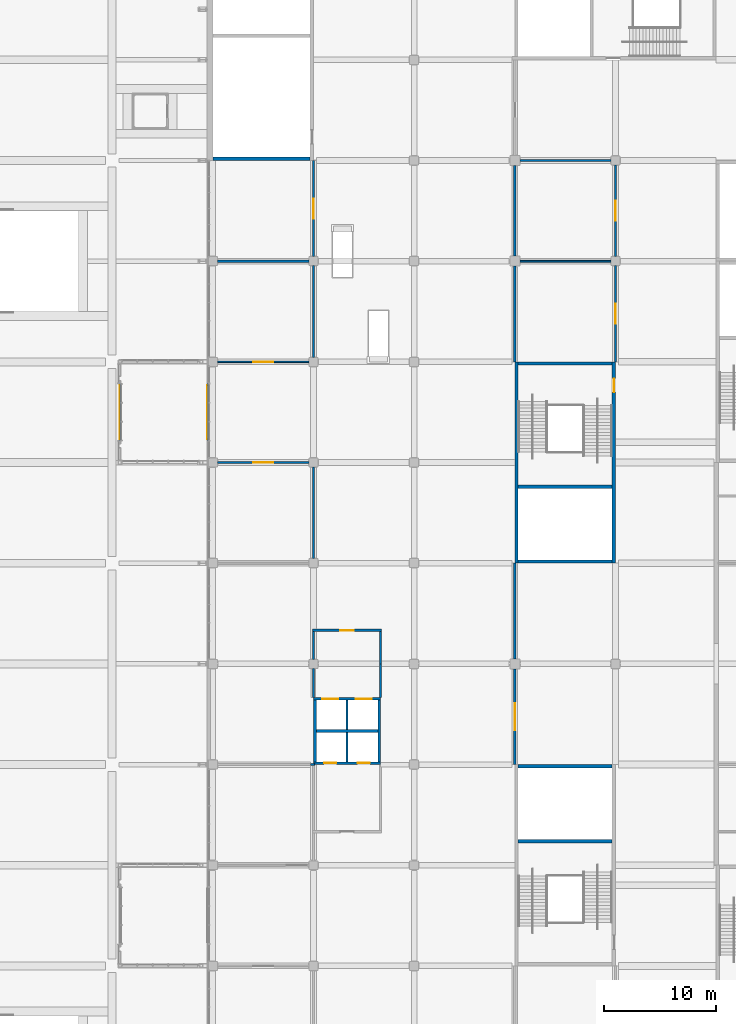
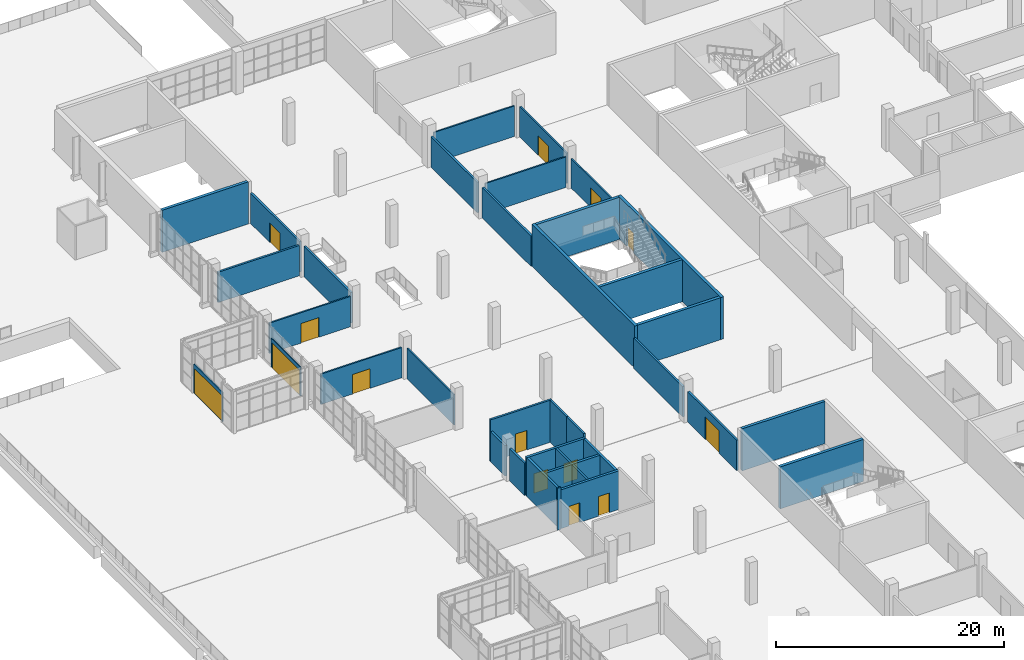
# One storey, part 96 of 168: 37 walls, 14 doors, 14 openings.
"""IFC4 building model written with IfcOpenShell, lengths in metres."""

from ifc_helpers import new_model, si_unit, direction, frame, frame_2d, origin, place, context, subcontext, project, spatial, rectangle, extrude, material, layer, layer_set, type_object, element, fill, save


model = new_model("IFC4")

# Units and contexts
model_context = context("Model", 3, precision=1e-05, world=origin(), true_north=direction((0.0, 1.0)))
body_context = subcontext(model_context, "Body", "Model", "MODEL_VIEW")
ifc_project = project(units=[si_unit("LENGTHUNIT", "METRE"), si_unit("AREAUNIT", "SQUARE_METRE"), si_unit("VOLUMEUNIT", "CUBIC_METRE"), si_unit("PLANEANGLEUNIT", "RADIAN"), si_unit("MASSUNIT", "GRAM", prefix="KILO")], contexts=[model_context])

# Site, building, storey
site_placement = place(None, origin())
site = spatial("IfcSite", under=ifc_project, at=site_placement, CompositionType="ELEMENT")
building_placement = place(site_placement, origin())
building = spatial("IfcBuilding", under=site, at=building_placement, Name="Silverbay Arena", CompositionType="ELEMENT")
storey_placement = place(building_placement, frame((0.0, 0.0, 7.0)))
storey = spatial("IfcBuildingStorey", under=building, at=storey_placement, Name="L01", CompositionType="ELEMENT", Elevation=7.0)

# Walls
ifc_material_1 = material(Name="Concrete Grade C45", Category="concrete")
ifc_layer_1 = layer(ifc_material_1, 0.300048828125)
ifc_layer_set_1 = layer_set([ifc_layer_1], Name="Concrete Grade C45")
wall_type_1 = type_object("IfcWallType", Name="Core wall RC 300 EI 120", PredefinedType="SHEAR", material=ifc_layer_set_1)
for number, where, z_axis, x_axis, name in (
    (1, (62.699951171875, 71.85009765625, 0.0), (0.0, 0.0, 1.0), (-1.0, 0.0, 0.0), "Core wall ST-W1 L01 end 2"),
    (2, (62.699951171875, 65.14990234375, 0.0), (0.0, 0.0, 1.0), (-1.0, 0.0, 0.0), "Core wall ST-W1 L01 stair enclosure"),
):
    element("IfcWall", number, at=place(storey_placement, frame(where, z_axis=z_axis, x_axis=x_axis)), inside=storey, type_object=wall_type_1, Name=name, PredefinedType="SHEAR", context=body_context, shape_type="SweptSolid", body=[
        extrude(rectangle(XDim=8.39990234375, YDim=0.300048828125, at=frame_2d((4.199951171875, 0.0))), origin(), (0.0, 0.0, 1.0), 4.5),
    ])

# Wall, opening, door
wall_1_placement = place(storey_placement, frame((62.85009765625, 108.0, 0.0), z_axis=(0.0, 0.0, 1.0), x_axis=(0.0, -1.0, 0.0)))
wall_1 = element("IfcWall", 3, at=wall_1_placement, inside=storey, type_object=wall_type_1, Name="Core wall ST-W2 L01 door side", PredefinedType="SHEAR", context=body_context, shape_type="SweptSolid", body=[
    extrude(rectangle(XDim=18.0, YDim=0.300048828125, at=frame_2d((9.0, 0.0))), origin(), (0.0, 0.0, 1.0), 4.5),
])
opening_1_placement = place(wall_1_placement, frame((1.5, 0.0, 0.0)))
opening_1 = element("IfcOpeningElement", 4, at=opening_1_placement, cuts=wall_1, Name="Opening L01-114", PredefinedType="OPENING", context=body_context, shape_type="SweptSolid", body=[
    extrude(rectangle(XDim=1.199951171875, YDim=2.10009765625, at=frame_2d((0.60009765625, 1.050048828125))), frame((0.0, 0.16015625, 0.0), z_axis=(0.0, -1.0, 0.0), x_axis=(1.0, 0.0, 0.0)), (0.0, 0.0, 1.0), 0.320068359375),
])
ifc_material_2 = material(Name="Steel fire door", Category="steel")
door_type_1 = type_object("IfcDoorType", Name="Stair door 1200 x 2100 fire door", OperationType="SINGLE_SWING_LEFT", PredefinedType="DOOR", material=ifc_material_2)
door_1_placement = place(opening_1_placement, frame((1.199951171875, 0.0, 0.0), z_axis=(0.0, 0.0, 1.0), x_axis=(-1.0, 0.0, 0.0)))
door_1 = element("IfcDoor", 5, at=door_1_placement, inside=storey, type_object=door_type_1, Name="Stair door ST-W2 L01", OperationType="SINGLE_SWING_RIGHT", OverallHeight=2.10009765625, OverallWidth=1.199951171875, PredefinedType="DOOR", context=body_context, shape_type="SweptSolid", body=[
    extrude(rectangle(XDim=1.199951171875, YDim=2.10009765625, at=frame_2d((0.60009765625, 1.050048828125))), frame((0.0, 0.02490234375, 0.0), z_axis=(0.0, -1.0, 0.0), x_axis=(1.0, 0.0, 0.0)), (0.0, 0.0, 1.0), 0.050048828125),
])
fill(opening_1, door_1)

# Walls
wall_2_placement = place(storey_placement, frame((54.14990234375, 108.0, 0.0), z_axis=(0.0, 0.0, 1.0), x_axis=(0.0, -1.0, 0.0)))
element("IfcWall", 6, at=wall_2_placement, inside=storey, type_object=wall_type_1, Name="Core wall ST-W2 L01 far side", PredefinedType="SHEAR", context=body_context, shape_type="SweptSolid", body=[
    extrude(rectangle(XDim=18.0, YDim=0.300048828125, at=frame_2d((9.0, 0.0))), origin(), (0.0, 0.0, 1.0), 4.5),
])
for number, where, z_axis, x_axis, name in (
    (7, (62.699951171875, 107.85009765625, 0.0), (0.0, 0.0, 1.0), (-1.0, 0.0, 0.0), "Core wall ST-W2 L01 end 1"),
    (8, (62.699951171875, 90.14990234375, 0.0), (0.0, 0.0, 1.0), (-1.0, 0.0, 0.0), "Core wall ST-W2 L01 end 2"),
    (9, (62.699951171875, 96.85009765625, 0.0), (0.0, 0.0, 1.0), (-1.0, 0.0, 0.0), "Core wall ST-W2 L01 stair enclosure"),
):
    element("IfcWall", number, at=place(storey_placement, frame(where, z_axis=z_axis, x_axis=x_axis)), inside=storey, type_object=wall_type_1, Name=name, PredefinedType="SHEAR", context=body_context, shape_type="SweptSolid", body=[
        extrude(rectangle(XDim=8.39990234375, YDim=0.300048828125, at=frame_2d((4.199951171875, 0.0))), origin(), (0.0, 0.0, 1.0), 4.5),
    ])
wall_3_placement = place(storey_placement, frame((35.699951171875, 126.14990234375, 0.0), z_axis=(0.0, 0.0, 1.0), x_axis=(-1.0, 0.0, 0.0)))
element("IfcWall", 10, at=wall_3_placement, inside=storey, type_object=wall_type_1, Name="Core wall ST-WG2 L01 end 1", PredefinedType="SHEAR", context=body_context, shape_type="SweptSolid", body=[
    extrude(rectangle(XDim=8.699951171875, YDim=0.300048828125, at=frame_2d((4.35009765625, 0.0))), origin(), (0.0, 0.0, 1.0), 4.5),
])

# Wall, opening, door
ifc_material_3 = material(Name="Aluminium and glass", Category="aluminium")
ifc_layer_2 = layer(ifc_material_3, 0.10009765625)
ifc_layer_set_2 = layer_set([ifc_layer_2], Name="Aluminium and glass")
wall_type_2 = type_object("IfcWallType", Name="Glazed entrance screen 100", PredefinedType="SOLIDWALL", material=ifc_layer_set_2)
wall_4_placement = place(storey_placement, frame((26.550048828125, 106.050048828125, 0.0), z_axis=(0.0, 0.0, 1.0), x_axis=(0.0, -1.0, 0.0)))
wall_4 = element("IfcWall", 11, at=wall_4_placement, inside=storey, type_object=wall_type_2, Name="West entrance screen L01 bay 10", PredefinedType="SOLIDWALL", context=body_context, shape_type="SweptSolid", body=[
    extrude(rectangle(XDim=5.10009765625, YDim=0.10009765625, at=frame_2d((2.550048828125, 0.0))), origin(), (0.0, 0.0, 1.0), 3.10009765625),
])
opening_2_placement = place(wall_4_placement, frame((0.14990234375, 0.0, 0.0)))
opening_2 = element("IfcOpeningElement", 12, at=opening_2_placement, cuts=wall_4, Name="Opening L01-094", PredefinedType="OPENING", context=body_context, shape_type="SweptSolid", body=[
    extrude(rectangle(XDim=4.800048828125, YDim=2.699951171875, at=frame_2d((2.39990234375, 1.35009765625))), frame((0.0, 0.06005859375, 0.0), z_axis=(0.0, -1.0, 0.0), x_axis=(1.0, 0.0, 0.0)), (0.0, 0.0, 1.0), 0.1201171875),
])
ifc_material_4 = material(Name="Aluminium and glass", Category="aluminium")
door_type_2 = type_object("IfcDoorType", Name="Entrance door 4800 x 2700", OperationType="DOUBLE_DOOR_SINGLE_SWING", PredefinedType="DOOR", material=ifc_material_4)
door_2_placement = place(opening_2_placement, frame((4.800048828125, 0.0, 0.0), z_axis=(0.0, 0.0, 1.0), x_axis=(-1.0, 0.0, 0.0)))
door_2 = element("IfcDoor", 13, at=door_2_placement, inside=storey, type_object=door_type_2, Name="Main entrance E5", OperationType="DOUBLE_DOOR_SINGLE_SWING", OverallHeight=2.699951171875, OverallWidth=4.800048828125, PredefinedType="DOOR", context=body_context, shape_type="SweptSolid", body=[
    extrude(rectangle(XDim=4.800048828125, YDim=2.699951171875, at=frame_2d((2.39990234375, 1.35009765625))), frame((0.0, 0.02490234375, 0.0), z_axis=(0.0, -1.0, 0.0), x_axis=(1.0, 0.0, 0.0)), (0.0, 0.0, 1.0), 0.050048828125),
])
fill(opening_2, door_2)

wall_5_placement = place(storey_placement, frame((18.699951171875, 106.050048828125, 0.0), z_axis=(0.0, 0.0, 1.0), x_axis=(0.0, -1.0, 0.0)))
wall_5 = element("IfcWall", 14, at=wall_5_placement, inside=storey, type_object=wall_type_2, Name="West entrance hall W1 entrance screen", PredefinedType="SOLIDWALL", context=body_context, shape_type="SweptSolid", body=[
    extrude(rectangle(XDim=5.10009765625, YDim=0.10009765625, at=frame_2d((2.550048828125, 0.0))), origin(), (0.0, 0.0, 1.0), 3.10009765625),
])
opening_3_placement = place(wall_5_placement, frame((0.14990234375, 0.0, 0.0)))
opening_3 = element("IfcOpeningElement", 15, at=opening_3_placement, cuts=wall_5, Name="Opening L01-100", PredefinedType="OPENING", context=body_context, shape_type="SweptSolid", body=[
    extrude(rectangle(XDim=4.800048828125, YDim=2.699951171875, at=frame_2d((2.39990234375, 1.35009765625))), frame((0.0, 0.06005859375, 0.0), z_axis=(0.0, -1.0, 0.0), x_axis=(1.0, 0.0, 0.0)), (0.0, 0.0, 1.0), 0.1201171875),
])
door_3_placement = place(opening_3_placement, frame((4.800048828125, 0.0, 0.0), z_axis=(0.0, 0.0, 1.0), x_axis=(-1.0, 0.0, 0.0)))
door_3 = element("IfcDoor", 16, at=door_3_placement, inside=storey, type_object=door_type_2, Name="Entrance hall door", OperationType="DOUBLE_DOOR_SINGLE_SWING", OverallHeight=2.699951171875, OverallWidth=4.800048828125, PredefinedType="DOOR", context=body_context, shape_type="SweptSolid", body=[
    extrude(rectangle(XDim=4.800048828125, YDim=2.699951171875, at=frame_2d((2.39990234375, 1.35009765625))), frame((0.0, 0.02490234375, 0.0), z_axis=(0.0, -1.0, 0.0), x_axis=(1.0, 0.0, 0.0)), (0.0, 0.0, 1.0), 0.050048828125),
])
fill(opening_3, door_3)

# Walls
ifc_material_5 = material(Name="Concrete Grade C45", Category="concrete")
ifc_layer_3 = layer(ifc_material_5, 0.199951171875)
ifc_layer_set_3 = layer_set([ifc_layer_3], Name="Concrete Grade C45")
wall_type_3 = type_object("IfcWallType", Name="Lift shaft divider RC 200 EI 120", PredefinedType="SHEAR", material=ifc_layer_set_3)
for number, where, z_axis, x_axis, name in (
    (17, (39.0, 72.25, 0.0), (0.0, 0.0, 1.0), (0.0, 1.0, 0.0), "Lift shaft divider LB-WG L01 s"),
    (18, (39.0, 75.125, 0.0), (0.0, 0.0, 1.0), (0.0, 1.0, 0.0), "Lift shaft divider LB-WG L01 n"),
):
    element("IfcWall", number, at=place(storey_placement, frame(where, z_axis=z_axis, x_axis=x_axis)), inside=storey, type_object=wall_type_3, Name=name, PredefinedType="SHEAR", context=body_context, shape_type="SweptSolid", body=[
        extrude(rectangle(XDim=2.625, YDim=0.199951171875, at=frame_2d((1.3125, 0.0))), origin(), (0.0, 0.0, 1.0), 4.14990234375),
    ])

# Wall, openings, doors
ifc_material_6 = material(Name="Concrete Grade C45", Category="concrete")
ifc_layer_4 = layer(ifc_material_6, 0.25)
ifc_layer_set_4 = layer_set([ifc_layer_4], Name="Concrete Grade C45")
wall_type_4 = type_object("IfcWallType", Name="Lift shaft wall RC 250 EI 120", PredefinedType="SHEAR", material=ifc_layer_set_4)
wall_6_placement = place(storey_placement, frame((36.0, 72.125, 0.0), z_axis=(0.0, 0.0, 1.0), x_axis=(1.0, 0.0, 0.0)))
wall_6 = element("IfcWall", 19, at=wall_6_placement, inside=storey, type_object=wall_type_4, Name="Lift shaft wall LB-WG L01 south", PredefinedType="SHEAR", context=body_context, shape_type="SweptSolid", body=[
    extrude(rectangle(XDim=6.0, YDim=0.25, at=frame_2d((3.0, 0.0))), origin(), (0.0, 0.0, 1.0), 4.14990234375),
])
opening_4_placement = place(wall_6_placement, frame((0.949951171875, 0.0, 0.0)))
opening_4 = element("IfcOpeningElement", 20, at=opening_4_placement, cuts=wall_6, Name="Opening L01-141", PredefinedType="OPENING", context=body_context, shape_type="SweptSolid", body=[
    extrude(rectangle(XDim=1.10009765625, YDim=2.10009765625, at=frame_2d((0.550048828125, 1.050048828125))), frame((0.0, 0.135009765625, 0.0), z_axis=(0.0, -1.0, 0.0), x_axis=(1.0, 0.0, 0.0)), (0.0, 0.0, 1.0), 0.27001953125),
])
opening_5_placement = place(wall_6_placement, frame((3.949951171875, 0.0, 0.0)))
opening_5 = element("IfcOpeningElement", 21, at=opening_5_placement, cuts=wall_6, Name="Opening L01-142", PredefinedType="OPENING", context=body_context, shape_type="SweptSolid", body=[
    extrude(rectangle(XDim=1.10009765625, YDim=2.10009765625, at=frame_2d((0.550048828125, 1.050048828125))), frame((0.0, 0.135009765625, 0.0), z_axis=(0.0, -1.0, 0.0), x_axis=(1.0, 0.0, 0.0)), (0.0, 0.0, 1.0), 0.27001953125),
])
ifc_material_7 = material(Name="Stainless steel", Category="steel")
door_type_3 = type_object("IfcDoorType", Name="LD1 lift landing door 1100 x 2100", OperationType="DOUBLE_DOOR_SLIDING", PredefinedType="DOOR", material=ifc_material_7)
door_4_placement = place(opening_4_placement, origin())
door_4 = element("IfcDoor", 22, at=door_4_placement, inside=storey, type_object=door_type_3, Name="Lift landing door LF15 L01", OperationType="DOUBLE_DOOR_SLIDING", OverallHeight=2.10009765625, OverallWidth=1.10009765625, PredefinedType="DOOR", context=body_context, shape_type="SweptSolid", body=[
    extrude(rectangle(XDim=1.10009765625, YDim=2.10009765625, at=frame_2d((0.550048828125, 1.050048828125))), frame((0.0, 0.02490234375, 0.0), z_axis=(0.0, -1.0, 0.0), x_axis=(1.0, 0.0, 0.0)), (0.0, 0.0, 1.0), 0.050048828125),
])
fill(opening_4, door_4)
door_5_placement = place(opening_5_placement, origin())
door_5 = element("IfcDoor", 23, at=door_5_placement, inside=storey, type_object=door_type_3, Name="Lift landing door LF16 L01", OperationType="DOUBLE_DOOR_SLIDING", OverallHeight=2.10009765625, OverallWidth=1.10009765625, PredefinedType="DOOR", context=body_context, shape_type="SweptSolid", body=[
    extrude(rectangle(XDim=1.10009765625, YDim=2.10009765625, at=frame_2d((0.550048828125, 1.050048828125))), frame((0.0, 0.02490234375, 0.0), z_axis=(0.0, -1.0, 0.0), x_axis=(1.0, 0.0, 0.0)), (0.0, 0.0, 1.0), 0.050048828125),
])
fill(opening_5, door_5)

wall_7_placement = place(storey_placement, frame((36.0, 77.875, 0.0), z_axis=(0.0, 0.0, 1.0), x_axis=(1.0, 0.0, 0.0)))
wall_7 = element("IfcWall", 24, at=wall_7_placement, inside=storey, type_object=wall_type_4, Name="Lift shaft wall LB-WG L01 north", PredefinedType="SHEAR", context=body_context, shape_type="SweptSolid", body=[
    extrude(rectangle(XDim=6.0, YDim=0.25, at=frame_2d((3.0, 0.0))), origin(), (0.0, 0.0, 1.0), 4.14990234375),
])
opening_6_placement = place(wall_7_placement, frame((0.800048828125, 0.0, 0.0)))
opening_6 = element("IfcOpeningElement", 25, at=opening_6_placement, cuts=wall_7, Name="Opening L01-143", PredefinedType="OPENING", context=body_context, shape_type="SweptSolid", body=[
    extrude(rectangle(XDim=1.39990234375, YDim=2.10009765625, at=frame_2d((0.699951171875, 1.050048828125))), frame((0.0, 0.135009765625, 0.0), z_axis=(0.0, -1.0, 0.0), x_axis=(1.0, 0.0, 0.0)), (0.0, 0.0, 1.0), 0.27001953125),
])
opening_7_placement = place(wall_7_placement, frame((3.800048828125, 0.0, 0.0)))
opening_7 = element("IfcOpeningElement", 26, at=opening_7_placement, cuts=wall_7, Name="Opening L01-144", PredefinedType="OPENING", context=body_context, shape_type="SweptSolid", body=[
    extrude(rectangle(XDim=1.39990234375, YDim=2.10009765625, at=frame_2d((0.699951171875, 1.050048828125))), frame((0.0, 0.135009765625, 0.0), z_axis=(0.0, -1.0, 0.0), x_axis=(1.0, 0.0, 0.0)), (0.0, 0.0, 1.0), 0.27001953125),
])
ifc_material_8 = material(Name="Stainless steel", Category="steel")
door_type_4 = type_object("IfcDoorType", Name="LD2 lift landing door 1400 x 2100", OperationType="DOUBLE_DOOR_SLIDING", PredefinedType="DOOR", material=ifc_material_8)
door_6_placement = place(opening_6_placement, origin())
door_6 = element("IfcDoor", 27, at=door_6_placement, inside=storey, type_object=door_type_4, Name="Lift landing door LF17 L01", OperationType="DOUBLE_DOOR_SLIDING", OverallHeight=2.10009765625, OverallWidth=1.39990234375, PredefinedType="DOOR", context=body_context, shape_type="SweptSolid", body=[
    extrude(rectangle(XDim=1.39990234375, YDim=2.10009765625, at=frame_2d((0.699951171875, 1.050048828125))), frame((0.0, 0.02490234375, 0.0), z_axis=(0.0, -1.0, 0.0), x_axis=(1.0, 0.0, 0.0)), (0.0, 0.0, 1.0), 0.050048828125),
])
fill(opening_6, door_6)
door_7_placement = place(opening_7_placement, origin())
door_7 = element("IfcDoor", 28, at=door_7_placement, inside=storey, type_object=door_type_4, Name="Lift landing door LF19 L01", OperationType="DOUBLE_DOOR_SLIDING", OverallHeight=2.10009765625, OverallWidth=1.39990234375, PredefinedType="DOOR", context=body_context, shape_type="SweptSolid", body=[
    extrude(rectangle(XDim=1.39990234375, YDim=2.10009765625, at=frame_2d((0.699951171875, 1.050048828125))), frame((0.0, 0.02490234375, 0.0), z_axis=(0.0, -1.0, 0.0), x_axis=(1.0, 0.0, 0.0)), (0.0, 0.0, 1.0), 0.050048828125),
])
fill(opening_7, door_7)

# Walls
wall_8_placement = place(storey_placement, frame((36.0, 75.0, 0.0), z_axis=(0.0, 0.0, 1.0), x_axis=(1.0, 0.0, 0.0)))
element("IfcWall", 29, at=wall_8_placement, inside=storey, type_object=wall_type_4, Name="Lift shaft wall LB-WG L01 middle", PredefinedType="SHEAR", context=body_context, shape_type="SweptSolid", body=[
    extrude(rectangle(XDim=6.0, YDim=0.25, at=frame_2d((3.0, 0.0))), origin(), (0.0, 0.0, 1.0), 4.14990234375),
])
for number, where, z_axis, x_axis, name in (
    (30, (36.125, 72.25, 0.0), (0.0, 0.0, 1.0), (0.0, 1.0, 0.0), "Lift shaft wall LB-WG L01 end"),
    (31, (41.875, 72.25, 0.0), (0.0, 0.0, 1.0), (0.0, 1.0, 0.0), "Lift shaft wall LB-WG L01 end"),
):
    element("IfcWall", number, at=place(storey_placement, frame(where, z_axis=z_axis, x_axis=x_axis)), inside=storey, type_object=wall_type_4, Name=name, PredefinedType="SHEAR", context=body_context, shape_type="SweptSolid", body=[
        extrude(rectangle(XDim=5.5, YDim=0.25, at=frame_2d((2.75, 0.0))), origin(), (0.0, 0.0, 1.0), 4.14990234375),
    ])

# Wall, opening, door
ifc_material_9 = material(Name="Gypsum board partition on steel studs", Category="steel")
ifc_layer_5 = layer(ifc_material_9, 0.14990234375)
ifc_layer_set_5 = layer_set([ifc_layer_5], Name="Gypsum board partition on steel studs")
wall_type_5 = type_object("IfcWallType", Name="Partition 150 EI 60", PredefinedType="PARTITIONING", material=ifc_layer_set_5)
wall_9_placement = place(storey_placement, frame((27.39990234375, 99.0, 0.0), z_axis=(0.0, 0.0, 1.0), x_axis=(1.0, 0.0, 0.0)))
wall_9 = element("IfcWall", 32, at=wall_9_placement, inside=storey, type_object=wall_type_5, Name="Partition wall", PredefinedType="PARTITIONING", context=body_context, shape_type="SweptSolid", body=[
    extrude(rectangle(XDim=8.2001953125, YDim=0.14990234375, at=frame_2d((4.10009765625, 0.0))), origin(), (0.0, 0.0, 1.0), 3.25),
])
opening_8_placement = place(wall_9_placement, frame((3.199951171875, 0.0, 0.0)))
opening_8 = element("IfcOpeningElement", 33, at=opening_8_placement, cuts=wall_9, Name="Opening L01-042", PredefinedType="OPENING", context=body_context, shape_type="SweptSolid", body=[
    extrude(rectangle(XDim=1.800048828125, YDim=2.10009765625, at=frame_2d((0.89990234375, 1.050048828125))), frame((0.0, 0.0849609375, 0.0), z_axis=(0.0, -1.0, 0.0), x_axis=(1.0, 0.0, 0.0)), (0.0, 0.0, 1.0), 0.169921875),
])
ifc_material_10 = material(Name="Steel faced timber", Category="steel")
door_type_5 = type_object("IfcDoorType", Name="Double leaf door 1800 x 2100 FD30S", OperationType="DOUBLE_DOOR_DOUBLE_SWING", PredefinedType="DOOR", material=ifc_material_10)
door_8_placement = place(opening_8_placement, frame((1.800048828125, 0.0, 0.0), z_axis=(0.0, 0.0, 1.0), x_axis=(-1.0, 0.0, 0.0)))
door_8 = element("IfcDoor", 34, at=door_8_placement, inside=storey, type_object=door_type_5, Name="Door L01-042", OperationType="DOUBLE_DOOR_DOUBLE_SWING", OverallHeight=2.10009765625, OverallWidth=1.800048828125, PredefinedType="DOOR", context=body_context, shape_type="SweptSolid", body=[
    extrude(rectangle(XDim=1.800048828125, YDim=2.10009765625, at=frame_2d((0.89990234375, 1.050048828125))), frame((0.0, 0.02490234375, 0.0), z_axis=(0.0, -1.0, 0.0), x_axis=(1.0, 0.0, 0.0)), (0.0, 0.0, 1.0), 0.050048828125),
])
fill(opening_8, door_8)

wall_10_placement = place(storey_placement, frame((27.39990234375, 108.0, 0.0), z_axis=(0.0, 0.0, 1.0), x_axis=(1.0, 0.0, 0.0)))
wall_10 = element("IfcWall", 35, at=wall_10_placement, inside=storey, type_object=wall_type_5, Name="Partition wall", PredefinedType="PARTITIONING", context=body_context, shape_type="SweptSolid", body=[
    extrude(rectangle(XDim=8.2001953125, YDim=0.14990234375, at=frame_2d((4.10009765625, 0.0))), origin(), (0.0, 0.0, 1.0), 3.25),
])
opening_9_placement = place(wall_10_placement, frame((3.199951171875, 0.0, 0.0)))
opening_9 = element("IfcOpeningElement", 36, at=opening_9_placement, cuts=wall_10, Name="Opening L01-043", PredefinedType="OPENING", context=body_context, shape_type="SweptSolid", body=[
    extrude(rectangle(XDim=1.800048828125, YDim=2.10009765625, at=frame_2d((0.89990234375, 1.050048828125))), frame((0.0, 0.0849609375, 0.0), z_axis=(0.0, -1.0, 0.0), x_axis=(1.0, 0.0, 0.0)), (0.0, 0.0, 1.0), 0.169921875),
])
door_9_placement = place(opening_9_placement, origin())
door_9 = element("IfcDoor", 37, at=door_9_placement, inside=storey, type_object=door_type_5, Name="Door L01-043", OperationType="DOUBLE_DOOR_DOUBLE_SWING", OverallHeight=2.10009765625, OverallWidth=1.800048828125, PredefinedType="DOOR", context=body_context, shape_type="SweptSolid", body=[
    extrude(rectangle(XDim=1.800048828125, YDim=2.10009765625, at=frame_2d((0.89990234375, 1.050048828125))), frame((0.0, 0.02490234375, 0.0), z_axis=(0.0, -1.0, 0.0), x_axis=(1.0, 0.0, 0.0)), (0.0, 0.0, 1.0), 0.050048828125),
])
fill(opening_9, door_9)

# Walls
for number, where, z_axis, x_axis, name in (
    (38, (54.449951171875, 117.0, 0.0), (0.0, 0.0, 1.0), (1.0, 0.0, 0.0), "Partition wall"),
    (39, (54.449951171875, 126.0, 0.0), (0.0, 0.0, 1.0), (1.0, 0.0, 0.0), "Partition wall"),
):
    element("IfcWall", number, at=place(storey_placement, frame(where, z_axis=z_axis, x_axis=x_axis)), inside=storey, type_object=wall_type_5, Name=name, PredefinedType="PARTITIONING", context=body_context, shape_type="SweptSolid", body=[
        extrude(rectangle(XDim=8.150146484375, YDim=0.14990234375, at=frame_2d((4.0751953125, 0.0))), origin(), (0.0, 0.0, 1.0), 3.25),
    ])
wall_11_placement = place(storey_placement, frame((36.0, 90.39990234375, 0.0), z_axis=(0.0, 0.0, 1.0), x_axis=(0.0, 1.0, 0.0)))
element("IfcWall", 40, at=wall_11_placement, inside=storey, type_object=wall_type_5, Name="Partition wall", PredefinedType="PARTITIONING", context=body_context, shape_type="SweptSolid", body=[
    extrude(rectangle(XDim=8.2001953125, YDim=0.14990234375, at=frame_2d((4.10009765625, 0.0))), origin(), (0.0, 0.0, 1.0), 3.25),
])

# Wall, opening, door
wall_12_placement = place(storey_placement, frame((63.0, 108.0, 0.0), z_axis=(0.0, 0.0, 1.0), x_axis=(0.0, 1.0, 0.0)))
wall_12 = element("IfcWall", 41, at=wall_12_placement, inside=storey, type_object=wall_type_5, Name="Partition wall", PredefinedType="PARTITIONING", context=body_context, shape_type="SweptSolid", body=[
    extrude(rectangle(XDim=8.60009765625, YDim=0.14990234375, at=frame_2d((4.300048828125, 0.0))), origin(), (0.0, 0.0, 1.0), 3.14990234375),
])
opening_10_placement = place(wall_12_placement, frame((3.39990234375, 0.0, 0.0)))
opening_10 = element("IfcOpeningElement", 42, at=opening_10_placement, cuts=wall_12, Name="Opening L01-007", PredefinedType="OPENING", context=body_context, shape_type="SweptSolid", body=[
    extrude(rectangle(XDim=1.800048828125, YDim=2.10009765625, at=frame_2d((0.89990234375, 1.050048828125))), frame((0.0, 0.0849609375, 0.0), z_axis=(0.0, -1.0, 0.0), x_axis=(1.0, 0.0, 0.0)), (0.0, 0.0, 1.0), 0.169921875),
])
door_10_placement = place(opening_10_placement, origin())
door_10 = element("IfcDoor", 43, at=door_10_placement, inside=storey, type_object=door_type_5, Name="Door L01-007", OperationType="DOUBLE_DOOR_DOUBLE_SWING", OverallHeight=2.10009765625, OverallWidth=1.800048828125, PredefinedType="DOOR", context=body_context, shape_type="SweptSolid", body=[
    extrude(rectangle(XDim=1.800048828125, YDim=2.10009765625, at=frame_2d((0.89990234375, 1.050048828125))), frame((0.0, 0.02490234375, 0.0), z_axis=(0.0, -1.0, 0.0), x_axis=(1.0, 0.0, 0.0)), (0.0, 0.0, 1.0), 0.050048828125),
])
fill(opening_10, door_10)

wall_13_placement = place(storey_placement, frame((63.0, 117.39990234375, 0.0), z_axis=(0.0, 0.0, 1.0), x_axis=(0.0, 1.0, 0.0)))
wall_13 = element("IfcWall", 44, at=wall_13_placement, inside=storey, type_object=wall_type_5, Name="Partition wall", PredefinedType="PARTITIONING", context=body_context, shape_type="SweptSolid", body=[
    extrude(rectangle(XDim=8.2001953125, YDim=0.14990234375, at=frame_2d((4.10009765625, 0.0))), origin(), (0.0, 0.0, 1.0), 3.25),
])
opening_11_placement = place(wall_13_placement, frame((3.199951171875, 0.0, 0.0)))
opening_11 = element("IfcOpeningElement", 45, at=opening_11_placement, cuts=wall_13, Name="Opening L01-008", PredefinedType="OPENING", context=body_context, shape_type="SweptSolid", body=[
    extrude(rectangle(XDim=1.800048828125, YDim=2.10009765625, at=frame_2d((0.89990234375, 1.050048828125))), frame((0.0, 0.0849609375, 0.0), z_axis=(0.0, -1.0, 0.0), x_axis=(1.0, 0.0, 0.0)), (0.0, 0.0, 1.0), 0.169921875),
])
door_11_placement = place(opening_11_placement, origin())
door_11 = element("IfcDoor", 46, at=door_11_placement, inside=storey, type_object=door_type_5, Name="Door L01-008", OperationType="DOUBLE_DOOR_DOUBLE_SWING", OverallHeight=2.10009765625, OverallWidth=1.800048828125, PredefinedType="DOOR", context=body_context, shape_type="SweptSolid", body=[
    extrude(rectangle(XDim=1.800048828125, YDim=2.10009765625, at=frame_2d((0.89990234375, 1.050048828125))), frame((0.0, 0.02490234375, 0.0), z_axis=(0.0, -1.0, 0.0), x_axis=(1.0, 0.0, 0.0)), (0.0, 0.0, 1.0), 0.050048828125),
])
fill(opening_11, door_11)

# Wall
wall_14_placement = place(storey_placement, frame((35.75, 72.0, 0.0), z_axis=(0.0, 0.0, 1.0), x_axis=(1.0, 0.0, 0.0)))
element("IfcWall", 47, at=wall_14_placement, inside=storey, type_object=wall_type_5, Name="Partition wall", PredefinedType="PARTITIONING", context=body_context, shape_type="SweptSolid", body=[
    extrude(rectangle(XDim=0.35009765625, YDim=0.14990234375, at=frame_2d((0.175048828125, 0.0))), origin(), (0.0, 0.0, 1.0), 4.5),
])

# Wall, opening, door
ifc_material_11 = material(Name="Masonry blockwork partition", Category="masonry")
ifc_layer_6 = layer(ifc_material_11, 0.199951171875)
ifc_layer_set_6 = layer_set([ifc_layer_6], Name="Masonry blockwork partition")
wall_type_6 = type_object("IfcWallType", Name="Partition 200 EI 120", PredefinedType="PARTITIONING", material=ifc_layer_set_6)
wall_15_placement = place(storey_placement, frame((35.89990234375, 84.0, 0.0), z_axis=(0.0, 0.0, 1.0), x_axis=(1.0, 0.0, 0.0)))
wall_15 = element("IfcWall", 48, at=wall_15_placement, inside=storey, type_object=wall_type_6, Name="Partition wall", PredefinedType="PARTITIONING", context=body_context, shape_type="SweptSolid", body=[
    extrude(rectangle(XDim=6.2001953125, YDim=0.199951171875, at=frame_2d((3.10009765625, 0.0))), origin(), (0.0, 0.0, 1.0), 4.5),
])
opening_12_placement = place(wall_15_placement, frame((2.5, 0.0, 0.0)))
opening_12 = element("IfcOpeningElement", 49, at=opening_12_placement, cuts=wall_15, Name="Opening L01-056", PredefinedType="OPENING", context=body_context, shape_type="SweptSolid", body=[
    extrude(rectangle(XDim=1.199951171875, YDim=2.10009765625, at=frame_2d((0.60009765625, 1.050048828125))), frame((0.0, 0.10986328125, 0.0), z_axis=(0.0, -1.0, 0.0), x_axis=(1.0, 0.0, 0.0)), (0.0, 0.0, 1.0), 0.219970703125),
])
ifc_material_12 = material(Name="Steel faced timber", Category="steel")
door_type_6 = type_object("IfcDoorType", Name="Single leaf door 1200 x 2100 FD120", OperationType="SINGLE_SWING_LEFT", PredefinedType="DOOR", material=ifc_material_12)
door_12_placement = place(opening_12_placement, origin())
door_12 = element("IfcDoor", 50, at=door_12_placement, inside=storey, type_object=door_type_6, Name="Door L01-056", OperationType="SINGLE_SWING_RIGHT", OverallHeight=2.10009765625, OverallWidth=1.199951171875, PredefinedType="DOOR", context=body_context, shape_type="SweptSolid", body=[
    extrude(rectangle(XDim=1.199951171875, YDim=2.10009765625, at=frame_2d((0.60009765625, 1.050048828125))), frame((0.0, 0.02490234375, 0.0), z_axis=(0.0, -1.0, 0.0), x_axis=(1.0, 0.0, 0.0)), (0.0, 0.0, 1.0), 0.050048828125),
])
fill(opening_12, door_12)

# Walls
wall_16_placement = place(storey_placement, frame((27.39990234375, 117.0, 0.0), z_axis=(0.0, 0.0, 1.0), x_axis=(1.0, 0.0, 0.0)))
element("IfcWall", 51, at=wall_16_placement, inside=storey, type_object=wall_type_6, Name="Partition wall", PredefinedType="PARTITIONING", context=body_context, shape_type="SweptSolid", body=[
    extrude(rectangle(XDim=8.2001953125, YDim=0.199951171875, at=frame_2d((4.10009765625, 0.0))), origin(), (0.0, 0.0, 1.0), 3.25),
])
wall_17_placement = place(storey_placement, frame((36.0, 78.0, 0.0), z_axis=(0.0, 0.0, 1.0), x_axis=(0.0, 1.0, 0.0)))
element("IfcWall", 52, at=wall_17_placement, inside=storey, type_object=wall_type_6, Name="Partition wall", PredefinedType="PARTITIONING", context=body_context, shape_type="SweptSolid", body=[
    extrude(rectangle(XDim=2.60009765625, YDim=0.199951171875, at=frame_2d((1.300048828125, 0.0))), origin(), (0.0, 0.0, 1.0), 3.449951171875),
])
wall_18_placement = place(storey_placement, frame((36.0, 81.39990234375, 0.0), z_axis=(0.0, 0.0, 1.0), x_axis=(0.0, 1.0, 0.0)))
element("IfcWall", 53, at=wall_18_placement, inside=storey, type_object=wall_type_6, Name="Partition wall", PredefinedType="PARTITIONING", context=body_context, shape_type="SweptSolid", body=[
    extrude(rectangle(XDim=2.5, YDim=0.199951171875, at=frame_2d((1.25, 0.0))), origin(), (0.0, 0.0, 1.0), 3.25),
])

# Wall, opening, door
wall_19_placement = place(storey_placement, frame((36.0, 117.39990234375, 0.0), z_axis=(0.0, 0.0, 1.0), x_axis=(0.0, 1.0, 0.0)))
wall_19 = element("IfcWall", 54, at=wall_19_placement, inside=storey, type_object=wall_type_6, Name="Partition wall", PredefinedType="PARTITIONING", context=body_context, shape_type="SweptSolid", body=[
    extrude(rectangle(XDim=8.60009765625, YDim=0.199951171875, at=frame_2d((4.300048828125, 0.0))), origin(), (0.0, 0.0, 1.0), 3.25),
])
opening_13_placement = place(wall_19_placement, frame((3.39990234375, 0.0, 0.0)))
opening_13 = element("IfcOpeningElement", 55, at=opening_13_placement, cuts=wall_19, Name="Opening L01-044", PredefinedType="OPENING", context=body_context, shape_type="SweptSolid", body=[
    extrude(rectangle(XDim=1.800048828125, YDim=2.10009765625, at=frame_2d((0.89990234375, 1.050048828125))), frame((0.0, 0.10986328125, 0.0), z_axis=(0.0, -1.0, 0.0), x_axis=(1.0, 0.0, 0.0)), (0.0, 0.0, 1.0), 0.219970703125),
])
ifc_material_13 = material(Name="Steel faced timber", Category="steel")
door_type_7 = type_object("IfcDoorType", Name="Double leaf door 1800 x 2100 FD120", OperationType="DOUBLE_DOOR_DOUBLE_SWING", PredefinedType="DOOR", material=ifc_material_13)
door_13_placement = place(opening_13_placement, origin())
door_13 = element("IfcDoor", 56, at=door_13_placement, inside=storey, type_object=door_type_7, Name="Door L01-044", OperationType="DOUBLE_DOOR_DOUBLE_SWING", OverallHeight=2.10009765625, OverallWidth=1.800048828125, PredefinedType="DOOR", context=body_context, shape_type="SweptSolid", body=[
    extrude(rectangle(XDim=1.800048828125, YDim=2.10009765625, at=frame_2d((0.89990234375, 1.050048828125))), frame((0.0, 0.02490234375, 0.0), z_axis=(0.0, -1.0, 0.0), x_axis=(1.0, 0.0, 0.0)), (0.0, 0.0, 1.0), 0.050048828125),
])
fill(opening_13, door_13)

# Walls
wall_20_placement = place(storey_placement, frame((42.0, 78.0, 0.0), z_axis=(0.0, 0.0, 1.0), x_axis=(0.0, 1.0, 0.0)))
element("IfcWall", 57, at=wall_20_placement, inside=storey, type_object=wall_type_6, Name="Partition wall", PredefinedType="PARTITIONING", context=body_context, shape_type="SweptSolid", body=[
    extrude(rectangle(XDim=3.0, YDim=0.199951171875, at=frame_2d((1.5, 0.0))), origin(), (0.0, 0.0, 1.0), 4.5),
])
wall_21_placement = place(storey_placement, frame((42.0, 81.0, 0.0), z_axis=(0.0, 0.0, 1.0), x_axis=(0.0, 1.0, 0.0)))
element("IfcWall", 58, at=wall_21_placement, inside=storey, type_object=wall_type_6, Name="Partition wall", PredefinedType="PARTITIONING", context=body_context, shape_type="SweptSolid", body=[
    extrude(rectangle(XDim=2.89990234375, YDim=0.199951171875, at=frame_2d((1.449951171875, 0.0))), origin(), (0.0, 0.0, 1.0), 4.5),
])

# Wall, opening, door
wall_22_placement = place(storey_placement, frame((54.0, 72.0, 0.0), z_axis=(0.0, 0.0, 1.0), x_axis=(0.0, 1.0, 0.0)))
wall_22 = element("IfcWall", 59, at=wall_22_placement, inside=storey, type_object=wall_type_6, Name="Partition wall", PredefinedType="PARTITIONING", context=body_context, shape_type="SweptSolid", body=[
    extrude(rectangle(XDim=8.550048828125, YDim=0.199951171875, at=frame_2d((4.27490234375, 0.0))), origin(), (0.0, 0.0, 1.0), 3.25),
])
opening_14_placement = place(wall_22_placement, frame((3.074951171875, 0.0, 0.0)))
opening_14 = element("IfcOpeningElement", 60, at=opening_14_placement, cuts=wall_22, Name="Opening L01-059", PredefinedType="OPENING", context=body_context, shape_type="SweptSolid", body=[
    extrude(rectangle(XDim=2.39990234375, YDim=2.39990234375, at=frame_2d((1.199951171875, 1.199951171875))), frame((0.0, 0.10986328125, 0.0), z_axis=(0.0, -1.0, 0.0), x_axis=(1.0, 0.0, 0.0)), (0.0, 0.0, 1.0), 0.219970703125),
])
ifc_material_14 = material(Name="Steel faced timber", Category="steel")
door_type_8 = type_object("IfcDoorType", Name="Double leaf door 2400 x 2400 FD120", OperationType="DOUBLE_DOOR_DOUBLE_SWING", PredefinedType="DOOR", material=ifc_material_14)
door_14_placement = place(opening_14_placement, origin())
door_14 = element("IfcDoor", 61, at=door_14_placement, inside=storey, type_object=door_type_8, Name="Door L01-059", OperationType="DOUBLE_DOOR_DOUBLE_SWING", OverallHeight=2.39990234375, OverallWidth=2.39990234375, PredefinedType="DOOR", context=body_context, shape_type="SweptSolid", body=[
    extrude(rectangle(XDim=2.39990234375, YDim=2.39990234375, at=frame_2d((1.199951171875, 1.199951171875))), frame((0.0, 0.02490234375, 0.0), z_axis=(0.0, -1.0, 0.0), x_axis=(1.0, 0.0, 0.0)), (0.0, 0.0, 1.0), 0.050048828125),
])
fill(opening_14, door_14)

# Walls
for number, where, z_axis, x_axis, name in (
    (62, (54.0, 81.449951171875, 0.0), (0.0, 0.0, 1.0), (0.0, 1.0, 0.0), "Partition wall"),
    (63, (54.0, 108.0, 0.0), (0.0, 0.0, 1.0), (0.0, 1.0, 0.0), "Partition wall"),
):
    element("IfcWall", number, at=place(storey_placement, frame(where, z_axis=z_axis, x_axis=x_axis)), inside=storey, type_object=wall_type_6, Name=name, PredefinedType="PARTITIONING", context=body_context, shape_type="SweptSolid", body=[
        extrude(rectangle(XDim=8.550048828125, YDim=0.199951171875, at=frame_2d((4.27490234375, 0.0))), origin(), (0.0, 0.0, 1.0), 3.25),
    ])
wall_23_placement = place(storey_placement, frame((54.0, 117.449951171875, 0.0), z_axis=(0.0, 0.0, 1.0), x_axis=(0.0, 1.0, 0.0)))
element("IfcWall", 64, at=wall_23_placement, inside=storey, type_object=wall_type_6, Name="Partition wall", PredefinedType="PARTITIONING", context=body_context, shape_type="SweptSolid", body=[
    extrude(rectangle(XDim=8.10009765625, YDim=0.199951171875, at=frame_2d((4.050048828125, 0.0))), origin(), (0.0, 0.0, 1.0), 3.25),
])
ifc_material_15 = material(Name="Gypsum board partition on steel studs", Category="steel")
ifc_layer_7 = layer(ifc_material_15, 0.199951171875)
ifc_layer_set_7 = layer_set([ifc_layer_7], Name="Gypsum board partition on steel studs")
wall_type_7 = type_object("IfcWallType", Name="Partition 200 EI 60", PredefinedType="PARTITIONING", material=ifc_layer_set_7)
wall_24_placement = place(storey_placement, frame((36.0, 108.39990234375, 0.0), z_axis=(0.0, 0.0, 1.0), x_axis=(0.0, 1.0, 0.0)))
element("IfcWall", 65, at=wall_24_placement, inside=storey, type_object=wall_type_7, Name="Partition wall", PredefinedType="PARTITIONING", context=body_context, shape_type="SweptSolid", body=[
    extrude(rectangle(XDim=8.2001953125, YDim=0.199951171875, at=frame_2d((4.10009765625, 0.0))), origin(), (0.0, 0.0, 1.0), 3.25),
])

save(model, "model.ifc")
